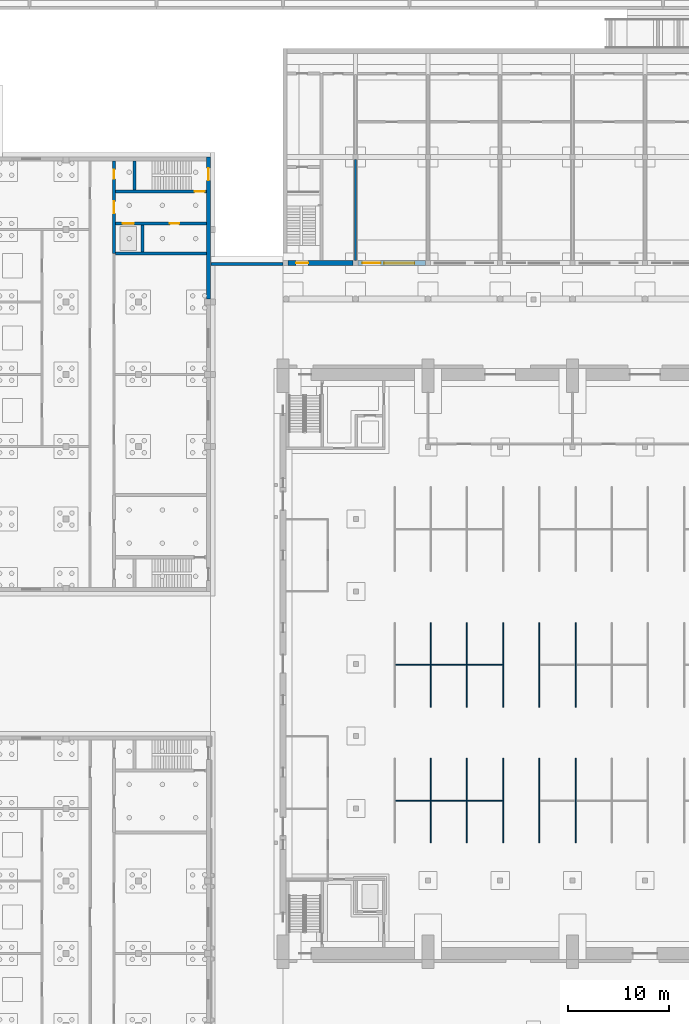
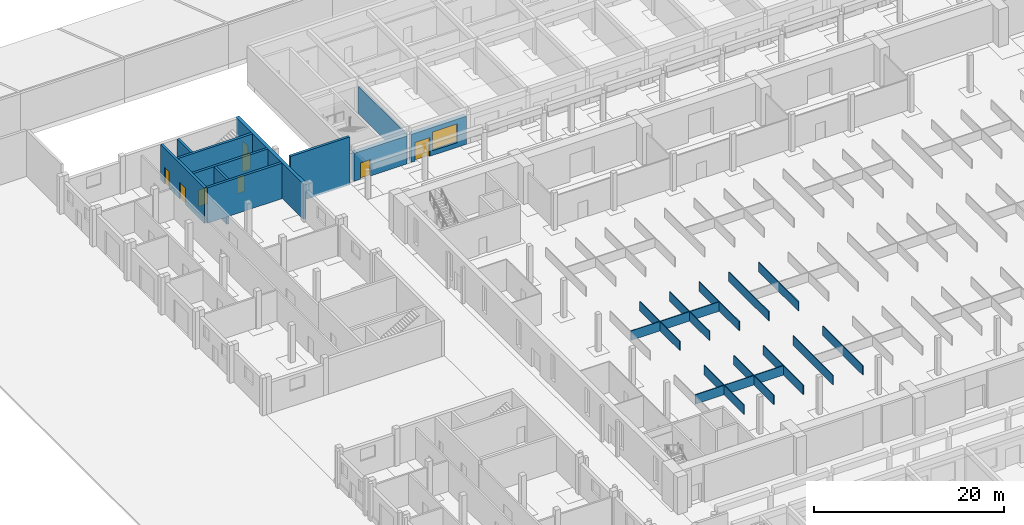
# One storey, part 40 of 73: 23 walls, 8 doors, 1 window, 9 openings.
"""IFC4 building model written with IfcOpenShell, lengths in metres."""

from ifc_helpers import new_model, si_unit, direction, frame, frame_2d, origin, place, context, subcontext, project, spatial, rectangle, extrude, material, layer, layer_set, type_object, element, fill, save


model = new_model("IFC4")

# Units and contexts
model_context = context("Model", 3, precision=1e-05, world=origin(), true_north=direction((0.0, 1.0)))
body_context = subcontext(model_context, "Body", "Model", "MODEL_VIEW")
ifc_project = project(units=[si_unit("LENGTHUNIT", "METRE"), si_unit("AREAUNIT", "SQUARE_METRE"), si_unit("VOLUMEUNIT", "CUBIC_METRE"), si_unit("PLANEANGLEUNIT", "RADIAN"), si_unit("MASSUNIT", "GRAM", prefix="KILO")], contexts=[model_context])

# Site, building, storey
site_placement = place(None, origin())
site = spatial("IfcSite", under=ifc_project, at=site_placement, CompositionType="ELEMENT")
building_placement = place(site_placement, origin())
building = spatial("IfcBuilding", under=site, at=building_placement, Name="Alderwick Market Hall", CompositionType="ELEMENT")
storey_placement = place(building_placement, origin())
storey = spatial("IfcBuildingStorey", under=building, at=storey_placement, Name="LG", CompositionType="ELEMENT", Elevation=0.0)

# Wall, opening, door
ifc_material_1 = material(Name="Cast stone 5000 psi", Category="masonry")
ifc_layer_1 = layer(ifc_material_1, 0.5)
ifc_layer_set_1 = layer_set([ifc_layer_1], Name="Cast stone 5000 psi")
wall_type_1 = type_object("IfcWallType", Name="A Cast Stone Shopfront Wall 500", PredefinedType="SOLIDWALL", material=ifc_layer_set_1)
wall_1_placement = place(storey_placement, frame((50.89990234375, 119.050048828125, 0.0), z_axis=(0.0, 0.0, 1.0), x_axis=(1.0, 0.0, 0.0)))
wall_1 = element("IfcWall", 1, at=wall_1_placement, inside=storey, type_object=wall_type_1, Name="A.N.wall.000", PredefinedType="SOLIDWALL", context=body_context, shape_type="SweptSolid", body=[
    extrude(rectangle(XDim=6.4501953125, YDim=0.5, at=frame_2d((3.22509765625, 0.0))), origin(), (0.0, 0.0, 1.0), 3.60009765625),
])
opening_1_placement = place(wall_1_placement, frame((2.0, 0.0, 0.0), z_axis=(0.0, 0.0, 1.0), x_axis=(-1.0, 0.0, 0.0)))
opening_1 = element("IfcOpeningElement", 2, at=opening_1_placement, cuts=wall_1, Name="Opening A-D001", PredefinedType="OPENING", context=body_context, shape_type="SweptSolid", body=[
    extrude(rectangle(XDim=1.199951171875, YDim=2.10009765625, at=frame_2d((0.60009765625, 1.050048828125))), frame((0.0, 0.260009765625, 0.0), z_axis=(0.0, -1.0, 0.0), x_axis=(1.0, 0.0, 0.0)), (0.0, 0.0, 1.0), 0.52001953125),
])
ifc_material_2 = material(Name="Hollow metal door and frame")
door_type_1 = type_object("IfcDoorType", Name="A Door 1200x2100", OperationType="SINGLE_SWING_LEFT", PredefinedType="DOOR", material=ifc_material_2)
door_1_placement = place(opening_1_placement, origin())
door_1 = element("IfcDoor", 3, at=door_1_placement, inside=storey, type_object=door_type_1, Name="Roof Stair A1 door", OperationType="SINGLE_SWING_LEFT", OverallHeight=2.10009765625, OverallWidth=1.199951171875, PredefinedType="DOOR", context=body_context, shape_type="SweptSolid", body=[
    extrude(rectangle(XDim=1.199951171875, YDim=2.10009765625, at=frame_2d((0.60009765625, 1.050048828125))), frame((0.0, 0.02490234375, 0.0), z_axis=(0.0, -1.0, 0.0), x_axis=(1.0, 0.0, 0.0)), (0.0, 0.0, 1.0), 0.050048828125),
])
fill(opening_1, door_1)

# Wall, openings, door, window
wall_2_placement = place(storey_placement, frame((57.85009765625, 119.050048828125, 0.0), z_axis=(0.0, 0.0, 1.0), x_axis=(1.0, 0.0, 0.0)))
wall_2 = element("IfcWall", 4, at=wall_2_placement, inside=storey, type_object=wall_type_1, Name="A.N.wall.001", PredefinedType="SOLIDWALL", context=body_context, shape_type="SweptSolid", body=[
    extrude(rectangle(XDim=6.699951171875, YDim=0.5, at=frame_2d((3.35009765625, 0.0))), origin(), (0.0, 0.0, 1.0), 3.60009765625),
])
opening_2_placement = place(wall_2_placement, frame((0.449951171875, 0.0, 0.0)))
opening_2 = element("IfcOpeningElement", 5, at=opening_2_placement, cuts=wall_2, Name="Opening A-D003", PredefinedType="OPENING", context=body_context, shape_type="SweptSolid", body=[
    extrude(rectangle(XDim=1.800048828125, YDim=2.39990234375, at=frame_2d((0.89990234375, 1.199951171875))), frame((0.0, 0.260009765625, 0.0), z_axis=(0.0, -1.0, 0.0), x_axis=(1.0, 0.0, 0.0)), (0.0, 0.0, 1.0), 0.52001953125),
])
opening_3_placement = place(wall_2_placement, frame((2.60009765625, 0.0, 0.60009765625)))
opening_3 = element("IfcOpeningElement", 6, at=opening_3_placement, cuts=wall_2, Name="Opening A-W001", PredefinedType="OPENING", context=body_context, shape_type="SweptSolid", body=[
    extrude(rectangle(XDim=3.0, YDim=2.39990234375, at=frame_2d((1.5, 1.199951171875))), frame((0.0, 0.260009765625, 0.0), z_axis=(0.0, -1.0, 0.0), x_axis=(1.0, 0.0, 0.0)), (0.0, 0.0, 1.0), 0.52001953125),
])
ifc_material_3 = material(Name="Aluminium frame and glass", Category="aluminium")
door_type_2 = type_object("IfcDoorType", Name="A Shop Double Door 1800x2400", OperationType="DOUBLE_DOOR_DOUBLE_SWING", PredefinedType="DOOR", material=ifc_material_3)
door_2_placement = place(opening_2_placement, origin())
door_2 = element("IfcDoor", 7, at=door_2_placement, inside=storey, type_object=door_type_2, Name="Greengrocer Shop entrance", OperationType="DOUBLE_DOOR_DOUBLE_SWING", OverallHeight=2.39990234375, OverallWidth=1.800048828125, PredefinedType="DOOR", context=body_context, shape_type="SweptSolid", body=[
    extrude(rectangle(XDim=1.800048828125, YDim=2.39990234375, at=frame_2d((0.89990234375, 1.199951171875))), frame((0.0, 0.02490234375, 0.0), z_axis=(0.0, -1.0, 0.0), x_axis=(1.0, 0.0, 0.0)), (0.0, 0.0, 1.0), 0.050048828125),
])
fill(opening_2, door_2)
ifc_material_4 = material(Name="Aluminium frame", Category="aluminium")
window_type = type_object("IfcWindowType", Name="A Shopfront Window 3000x2400", PartitioningType="SINGLE_PANEL", PredefinedType="WINDOW", material=ifc_material_4)
window_placement = place(opening_3_placement, origin())
window = element("IfcWindow", 8, at=window_placement, inside=storey, type_object=window_type, Name="Window A-W001", OverallHeight=2.39990234375, OverallWidth=3.0, PartitioningType="SINGLE_PANEL", PredefinedType="WINDOW", context=body_context, shape_type="SweptSolid", body=[
    extrude(rectangle(XDim=3.0, YDim=2.39990234375, at=frame_2d((1.5, 1.199951171875))), frame((0.0, 0.030029296875, 0.0), z_axis=(0.0, -1.0, 0.0), x_axis=(1.0, 0.0, 0.0)), (0.0, 0.0, 1.0), 0.06005859375),
])
fill(opening_3, window)

# Wall
ifc_material_5 = material(Name="Concrete masonry 3000 psi", Category="masonry")
ifc_layer_2 = layer(ifc_material_5, 0.199951171875)
ifc_layer_set_2 = layer_set([ifc_layer_2], Name="Concrete masonry 3000 psi")
wall_type_2 = type_object("IfcWallType", Name="A Masonry Partition 200", PredefinedType="PARTITIONING", material=ifc_layer_set_2)
wall_3_placement = place(storey_placement, frame((57.60009765625, 119.300048828125, 0.0), z_axis=(0.0, 0.0, 1.0), x_axis=(0.0, 1.0, 0.0)))
element("IfcWall", 9, at=wall_3_placement, inside=storey, type_object=wall_type_2, Name="A.N.wall.025", PredefinedType="PARTITIONING", context=body_context, shape_type="SweptSolid", body=[
    extrude(rectangle(XDim=10.050048828125, YDim=0.199951171875, at=frame_2d((5.02490234375, 0.0))), origin(), (0.0, 0.0, 1.0), 3.5),
])

# Wall, opening, door
ifc_material_6 = material(Name="Concrete 5000 psi (f'c 35 MPa)", Category="concrete")
ifc_layer_3 = layer(ifc_material_6, 0.39990234375)
ifc_layer_set_3 = layer_set([ifc_layer_3], Name="Concrete 5000 psi (f'c 35 MPa)")
wall_type_3 = type_object("IfcWallType", Name="B RC Core Facade Wall 400", PredefinedType="SHEAR", material=ifc_layer_set_3)
wall_4_placement = place(storey_placement, frame((43.0, 115.5, 0.0), z_axis=(0.0, 0.0, 1.0), x_axis=(0.0, 1.0, 0.0)))
wall_4 = element("IfcWall", 10, at=wall_4_placement, inside=storey, type_object=wall_type_3, Name="B.N.wall.LG.034", PredefinedType="SHEAR", context=body_context, shape_type="SweptSolid", body=[
    extrude(rectangle(XDim=14.10009765625, YDim=0.39990234375, at=frame_2d((7.050048828125, 0.0))), origin(), (0.0, 0.0, 1.0), 4.550048828125),
])
opening_4_placement = place(wall_4_placement, frame((13.0, 0.0, 0.0), z_axis=(0.0, 0.0, 1.0), x_axis=(-1.0, 0.0, 0.0)))
opening_4 = element("IfcOpeningElement", 11, at=opening_4_placement, cuts=wall_4, Name="Opening B-D006", PredefinedType="OPENING", context=body_context, shape_type="SweptSolid", body=[
    extrude(rectangle(XDim=1.199951171875, YDim=2.10009765625, at=frame_2d((0.60009765625, 1.050048828125))), frame((0.0, 0.2099609375, 0.0), z_axis=(0.0, -1.0, 0.0), x_axis=(1.0, 0.0, 0.0)), (0.0, 0.0, 1.0), 0.419921875),
])
ifc_material_7 = material(Name="Hollow metal fire door and frame")
door_type_3 = type_object("IfcDoorType", Name="B Fire Door 1200x2100", OperationType="SINGLE_SWING_LEFT", PredefinedType="DOOR", material=ifc_material_7)
door_3_placement = place(opening_4_placement, origin())
door_3 = element("IfcDoor", 12, at=door_3_placement, inside=storey, type_object=door_type_3, Name="Stair N-1 exit door", OperationType="SINGLE_SWING_RIGHT", OverallHeight=2.10009765625, OverallWidth=1.199951171875, PredefinedType="DOOR", context=body_context, shape_type="SweptSolid", body=[
    extrude(rectangle(XDim=1.199951171875, YDim=2.10009765625, at=frame_2d((0.60009765625, 1.050048828125))), frame((0.0, 0.02490234375, 0.0), z_axis=(0.0, -1.0, 0.0), x_axis=(1.0, 0.0, 0.0)), (0.0, 0.0, 1.0), 0.050048828125),
])
fill(opening_4, door_3)

# Wall
ifc_layer_4 = layer(ifc_material_6, 0.300048828125)
ifc_layer_set_4 = layer_set([ifc_layer_4], Name="Concrete 5000 psi (f'c 35 MPa)")
wall_type_4 = type_object("IfcWallType", Name="B RC Core Wall 300", PredefinedType="SHEAR", material=ifc_layer_set_4)
wall_5_placement = place(storey_placement, frame((33.75, 120.0, 0.0), z_axis=(0.0, 0.0, 1.0), x_axis=(1.0, 0.0, 0.0)))
element("IfcWall", 13, at=wall_5_placement, inside=storey, type_object=wall_type_4, Name="B.N.wall.LG.010", PredefinedType="SHEAR", context=body_context, shape_type="SweptSolid", body=[
    extrude(rectangle(XDim=9.050048828125, YDim=0.300048828125, at=frame_2d((4.52490234375, 0.0))), origin(), (0.0, 0.0, 1.0), 4.550048828125),
])

# Wall, openings, doors
wall_6_placement = place(storey_placement, frame((33.75, 123.0, 0.0), z_axis=(0.0, 0.0, 1.0), x_axis=(1.0, 0.0, 0.0)))
wall_6 = element("IfcWall", 14, at=wall_6_placement, inside=storey, type_object=wall_type_4, Name="B.N.wall.LG.013", PredefinedType="SHEAR", context=body_context, shape_type="SweptSolid", body=[
    extrude(rectangle(XDim=9.050048828125, YDim=0.300048828125, at=frame_2d((4.52490234375, 0.0))), origin(), (0.0, 0.0, 1.0), 4.550048828125),
])
opening_5_placement = place(wall_6_placement, frame((0.699951171875, 0.0, 0.0)))
opening_5 = element("IfcOpeningElement", 15, at=opening_5_placement, cuts=wall_6, Name="Opening B-D030", PredefinedType="OPENING", context=body_context, shape_type="SweptSolid", body=[
    extrude(rectangle(XDim=1.10009765625, YDim=2.10009765625, at=frame_2d((0.550048828125, 1.050048828125))), frame((0.0, 0.159912109375, 0.0), z_axis=(0.0, -1.0, 0.0), x_axis=(1.0, 0.0, 0.0)), (0.0, 0.0, 1.0), 0.320068359375),
])
opening_6_placement = place(wall_6_placement, frame((5.39990234375, 0.0, 0.0)))
opening_6 = element("IfcOpeningElement", 16, at=opening_6_placement, cuts=wall_6, Name="Opening B-D031", PredefinedType="OPENING", context=body_context, shape_type="SweptSolid", body=[
    extrude(rectangle(XDim=0.89990234375, YDim=2.10009765625, at=frame_2d((0.449951171875, 1.050048828125))), frame((0.0, 0.159912109375, 0.0), z_axis=(0.0, -1.0, 0.0), x_axis=(1.0, 0.0, 0.0)), (0.0, 0.0, 1.0), 0.320068359375),
])
door_type_4 = type_object("IfcDoorType", Name="B Door 900x2100", OperationType="SINGLE_SWING_LEFT", PredefinedType="DOOR", material=ifc_material_2)
door_4_placement = place(opening_6_placement, origin())
door_4 = element("IfcDoor", 17, at=door_4_placement, inside=storey, type_object=door_type_4, Name="Cleaners store door", OperationType="SINGLE_SWING_LEFT", OverallHeight=2.10009765625, OverallWidth=0.89990234375, PredefinedType="DOOR", context=body_context, shape_type="SweptSolid", body=[
    extrude(rectangle(XDim=0.89990234375, YDim=2.10009765625, at=frame_2d((0.449951171875, 1.050048828125))), frame((0.0, 0.02490234375, 0.0), z_axis=(0.0, -1.0, 0.0), x_axis=(1.0, 0.0, 0.0)), (0.0, 0.0, 1.0), 0.050048828125),
])
fill(opening_6, door_4)
ifc_material_8 = material(Name="Stainless steel landing door", Category="steel")
door_type_5 = type_object("IfcDoorType", Name="B Lift Landing Door 1100x2100", OperationType="SLIDING_TO_LEFT", PredefinedType="DOOR", material=ifc_material_8)
door_5_placement = place(opening_5_placement, origin())
door_5 = element("IfcDoor", 18, at=door_5_placement, inside=storey, type_object=door_type_5, Name="Lift N-1 landing door LG", OperationType="SLIDING_TO_LEFT", OverallHeight=2.10009765625, OverallWidth=1.10009765625, PredefinedType="DOOR", context=body_context, shape_type="SweptSolid", body=[
    extrude(rectangle(XDim=1.10009765625, YDim=2.10009765625, at=frame_2d((0.550048828125, 1.050048828125))), frame((0.0, 0.02490234375, 0.0), z_axis=(0.0, -1.0, 0.0), x_axis=(1.0, 0.0, 0.0)), (0.0, 0.0, 1.0), 0.050048828125),
])
fill(opening_5, door_5)

# Wall, opening, door
wall_7_placement = place(storey_placement, frame((33.75, 126.199951171875, 0.0), z_axis=(0.0, 0.0, 1.0), x_axis=(1.0, 0.0, 0.0)))
wall_7 = element("IfcWall", 19, at=wall_7_placement, inside=storey, type_object=wall_type_4, Name="B.N.wall.LG.014", PredefinedType="SHEAR", context=body_context, shape_type="SweptSolid", body=[
    extrude(rectangle(XDim=9.050048828125, YDim=0.300048828125, at=frame_2d((4.52490234375, 0.0))), origin(), (0.0, 0.0, 1.0), 4.550048828125),
])
opening_7_placement = place(wall_7_placement, frame((7.85009765625, 0.0, 0.0)))
opening_7 = element("IfcOpeningElement", 20, at=opening_7_placement, cuts=wall_7, Name="Opening B-D027", PredefinedType="OPENING", context=body_context, shape_type="SweptSolid", body=[
    extrude(rectangle(XDim=1.0, YDim=2.10009765625, at=frame_2d((0.5, 1.050048828125))), frame((0.0, 0.159912109375, 0.0), z_axis=(0.0, -1.0, 0.0), x_axis=(1.0, 0.0, 0.0)), (0.0, 0.0, 1.0), 0.320068359375),
])
door_type_6 = type_object("IfcDoorType", Name="B Fire Door 1000x2100", OperationType="SINGLE_SWING_LEFT", PredefinedType="DOOR", material=ifc_material_7)
door_6_placement = place(opening_7_placement, origin())
door_6 = element("IfcDoor", 21, at=door_6_placement, inside=storey, type_object=door_type_6, Name="Stair N-1 lobby door", OperationType="SINGLE_SWING_LEFT", OverallHeight=2.10009765625, OverallWidth=1.0, PredefinedType="DOOR", context=body_context, shape_type="SweptSolid", body=[
    extrude(rectangle(XDim=1.0, YDim=2.10009765625, at=frame_2d((0.5, 1.050048828125))), frame((0.0, 0.02490234375, 0.0), z_axis=(0.0, -1.0, 0.0), x_axis=(1.0, 0.0, 0.0)), (0.0, 0.0, 1.0), 0.050048828125),
])
fill(opening_7, door_6)

# Wall, openings, doors
wall_8_placement = place(storey_placement, frame((33.60009765625, 120.0, 0.0), z_axis=(0.0, 0.0, 1.0), x_axis=(0.0, 1.0, 0.0)))
wall_8 = element("IfcWall", 22, at=wall_8_placement, inside=storey, type_object=wall_type_4, Name="B.N.wall.LG.027", PredefinedType="SHEAR", context=body_context, shape_type="SweptSolid", body=[
    extrude(rectangle(XDim=9.199951171875, YDim=0.300048828125, at=frame_2d((4.60009765625, 0.0))), origin(), (0.0, 0.0, 1.0), 4.550048828125),
])
opening_8_placement = place(wall_8_placement, frame((4.0, 0.0, 0.0)))
opening_8 = element("IfcOpeningElement", 23, at=opening_8_placement, cuts=wall_8, Name="Opening B-D028", PredefinedType="OPENING", context=body_context, shape_type="SweptSolid", body=[
    extrude(rectangle(XDim=1.199951171875, YDim=2.10009765625, at=frame_2d((0.60009765625, 1.050048828125))), frame((0.0, 0.159912109375, 0.0), z_axis=(0.0, -1.0, 0.0), x_axis=(1.0, 0.0, 0.0)), (0.0, 0.0, 1.0), 0.320068359375),
])
opening_9_placement = place(wall_8_placement, frame((7.449951171875, 0.0, 0.0)))
opening_9 = element("IfcOpeningElement", 24, at=opening_9_placement, cuts=wall_8, Name="Opening B-D029", PredefinedType="OPENING", context=body_context, shape_type="SweptSolid", body=[
    extrude(rectangle(XDim=0.89990234375, YDim=2.10009765625, at=frame_2d((0.449951171875, 1.050048828125))), frame((0.0, 0.159912109375, 0.0), z_axis=(0.0, -1.0, 0.0), x_axis=(1.0, 0.0, 0.0)), (0.0, 0.0, 1.0), 0.320068359375),
])
door_7_placement = place(opening_8_placement, origin())
door_7 = element("IfcDoor", 25, at=door_7_placement, inside=storey, type_object=door_type_3, Name="Lobby N-1 corridor door", OperationType="SINGLE_SWING_RIGHT", OverallHeight=2.10009765625, OverallWidth=1.199951171875, PredefinedType="DOOR", context=body_context, shape_type="SweptSolid", body=[
    extrude(rectangle(XDim=1.199951171875, YDim=2.10009765625, at=frame_2d((0.60009765625, 1.050048828125))), frame((0.0, 0.02490234375, 0.0), z_axis=(0.0, -1.0, 0.0), x_axis=(1.0, 0.0, 0.0)), (0.0, 0.0, 1.0), 0.050048828125),
])
fill(opening_8, door_7)
door_type_7 = type_object("IfcDoorType", Name="B Fire Door 900x2100", OperationType="SINGLE_SWING_LEFT", PredefinedType="DOOR", material=ifc_material_7)
door_8_placement = place(opening_9_placement, origin())
door_8 = element("IfcDoor", 26, at=door_8_placement, inside=storey, type_object=door_type_7, Name="Riser N-1 access door", OperationType="SINGLE_SWING_LEFT", OverallHeight=2.10009765625, OverallWidth=0.89990234375, PredefinedType="DOOR", context=body_context, shape_type="SweptSolid", body=[
    extrude(rectangle(XDim=0.89990234375, YDim=2.10009765625, at=frame_2d((0.449951171875, 1.050048828125))), frame((0.0, 0.02490234375, 0.0), z_axis=(0.0, -1.0, 0.0), x_axis=(1.0, 0.0, 0.0)), (0.0, 0.0, 1.0), 0.050048828125),
])
fill(opening_9, door_8)

# Walls
wall_9_placement = place(storey_placement, frame((35.60009765625, 126.35009765625, 0.0), z_axis=(0.0, 0.0, 1.0), x_axis=(0.0, 1.0, 0.0)))
element("IfcWall", 27, at=wall_9_placement, inside=storey, type_object=wall_type_4, Name="B.N.wall.LG.029", PredefinedType="SHEAR", context=body_context, shape_type="SweptSolid", body=[
    extrude(rectangle(XDim=2.849853515625, YDim=0.300048828125, at=frame_2d((1.4248046875, 0.0))), origin(), (0.0, 0.0, 1.0), 4.550048828125),
])
wall_10_placement = place(storey_placement, frame((36.39990234375, 120.14990234375, -1.199951171875), z_axis=(0.0, 0.0, 1.0), x_axis=(0.0, 1.0, 0.0)))
element("IfcWall", 28, at=wall_10_placement, inside=storey, type_object=wall_type_4, Name="B.N.wall.LG.030", PredefinedType="SHEAR", context=body_context, shape_type="SweptSolid", body=[
    extrude(rectangle(XDim=2.7001953125, YDim=0.300048828125, at=frame_2d((1.35009765625, 0.0))), origin(), (0.0, 0.0, 1.0), 5.75),
])
ifc_material_9 = material(Name="Face brick", Category="masonry")
ifc_layer_5 = layer(ifc_material_9, 0.10009765625)
ifc_layer_set_5 = layer_set([ifc_layer_5], Name="Face brick")
wall_type_5 = type_object("IfcWallType", Name="H Stall counter 100", PredefinedType="PARTITIONING", material=ifc_layer_set_5)
for number, where, z_axis, x_axis, name in (
    (29, (65.090087890625, 61.389892578125, 0.0), (0.0, 0.0, 1.0), (0.0, 1.0, 0.0), "Stall counter"),
    (30, (68.68994140625, 61.389892578125, 0.0), (0.0, 0.0, 1.0), (0.0, 1.0, 0.0), "Stall counter"),
    (31, (72.2900390625, 61.389892578125, 0.0), (0.0, 0.0, 1.0), (0.0, 1.0, 0.0), "Stall counter"),
    (32, (75.889892578125, 61.389892578125, 0.0), (0.0, 0.0, 1.0), (0.0, 1.0, 0.0), "Stall counter"),
    (33, (79.489990234375, 61.389892578125, 0.0), (0.0, 0.0, 1.0), (0.0, 1.0, 0.0), "Stall counter"),
    (34, (65.090087890625, 74.889892578125, 0.0), (0.0, 0.0, 1.0), (0.0, 1.0, 0.0), "Stall counter"),
    (35, (68.68994140625, 74.889892578125, 0.0), (0.0, 0.0, 1.0), (0.0, 1.0, 0.0), "Stall counter"),
    (36, (72.2900390625, 74.889892578125, 0.0), (0.0, 0.0, 1.0), (0.0, 1.0, 0.0), "Stall counter"),
    (37, (75.889892578125, 74.889892578125, 0.0), (0.0, 0.0, 1.0), (0.0, 1.0, 0.0), "Stall counter"),
    (38, (79.489990234375, 74.889892578125, 0.0), (0.0, 0.0, 1.0), (0.0, 1.0, 0.0), "Stall counter"),
):
    element("IfcWall", number, at=place(storey_placement, frame(where, z_axis=z_axis, x_axis=x_axis)), inside=storey, type_object=wall_type_5, Name=name, PredefinedType="PARTITIONING", context=body_context, shape_type="SweptSolid", body=[
        extrude(rectangle(XDim=8.400146484375, YDim=0.10009765625, at=frame_2d((4.2001953125, 0.0))), origin(), (0.0, 0.0, 1.0), 1.199951171875),
    ])
for number, where, z_axis, x_axis, name in (
    (39, (61.5400390625, 65.590087890625, 0.0), (0.0, 0.0, 1.0), (1.0, 0.0, 0.0), "Stall counter"),
    (40, (61.5400390625, 79.090087890625, 0.0), (0.0, 0.0, 1.0), (1.0, 0.0, 0.0), "Stall counter"),
):
    element("IfcWall", number, at=place(storey_placement, frame(where, z_axis=z_axis, x_axis=x_axis)), inside=storey, type_object=wall_type_5, Name=name, PredefinedType="PARTITIONING", context=body_context, shape_type="SweptSolid", body=[
        extrude(rectangle(XDim=10.699951171875, YDim=0.10009765625, at=frame_2d((5.35009765625, 0.0))), origin(), (0.0, 0.0, 1.0), 1.199951171875),
    ])
ifc_layer_6 = layer(ifc_material_6, 0.300048828125)
ifc_layer_set_6 = layer_set([ifc_layer_6], Name="Concrete 5000 psi (f'c 35 MPa)")
wall_type_6 = type_object("IfcWallType", Name="S Retaining Wall 300", PredefinedType="SOLIDWALL", material=ifc_layer_set_6)
wall_11_placement = place(storey_placement, frame((43.2099609375, 118.949951171875, -0.25), z_axis=(0.0, 0.0, 1.0), x_axis=(1.0, 0.0, 0.0)))
element("IfcWall", 41, at=wall_11_placement, inside=storey, type_object=wall_type_6, Name="Retaining wall 05a", PredefinedType="SOLIDWALL", context=body_context, shape_type="SweptSolid", body=[
    extrude(rectangle(XDim=7.179931640625, YDim=0.300048828125, at=frame_2d((3.58984375, 0.0))), origin(), (0.0, 0.0, 1.0), 6.14990234375),
])

save(model, "model.ifc")
